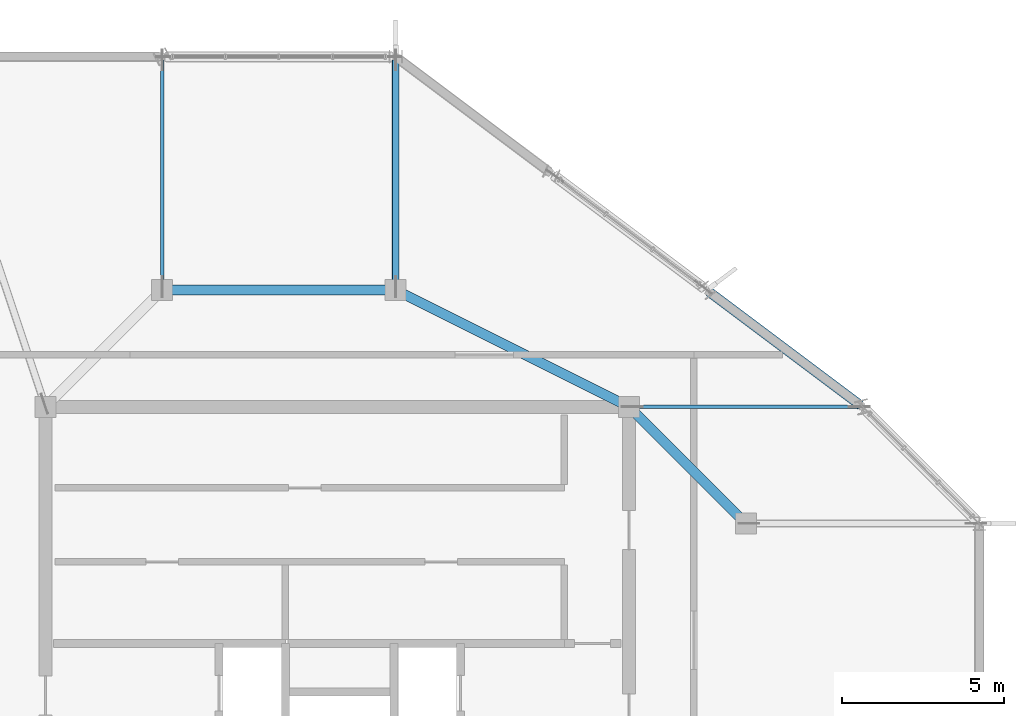
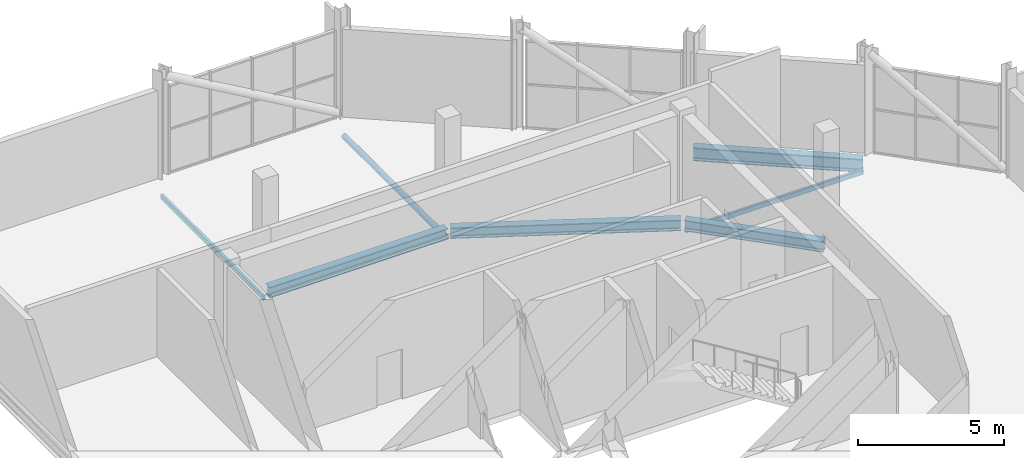
# One storey, part 9 of 22: 4 beams, 3 members.
"""IFC4 building model written with IfcOpenShell, lengths in metres."""

from ifc_helpers import new_model, si_unit, direction, frame, origin, origin_2d, place, context, subcontext, project, spatial, hollow_rectangle, hollow_circle, i_section, extrude, material, material_profile, profile_set, type_object, element, save


model = new_model("IFC4")

# Units and contexts
model_context = context("Model", 3, precision=1e-05, world=origin(), true_north=direction((0.0, 1.0)))
body_context = subcontext(model_context, "Body", "Model", "MODEL_VIEW")
ifc_project = project(units=[si_unit("LENGTHUNIT", "METRE"), si_unit("AREAUNIT", "SQUARE_METRE"), si_unit("VOLUMEUNIT", "CUBIC_METRE"), si_unit("PLANEANGLEUNIT", "RADIAN"), si_unit("MASSUNIT", "GRAM", prefix="KILO")], contexts=[model_context])

# Site, building, storey
site_placement = place(None, origin())
site = spatial("IfcSite", under=ifc_project, at=site_placement, CompositionType="ELEMENT")
building_placement = place(site_placement, origin())
building = spatial("IfcBuilding", under=site, at=building_placement, Name="Solnavia Interchange Tower", CompositionType="ELEMENT")
storey_placement = place(building_placement, frame((0.0, 0.0, 308.699951171875)))
storey = spatial("IfcBuildingStorey", under=building, at=storey_placement, Name="C02", CompositionType="ELEMENT", Elevation=308.699951171875)

# Beams
ifc_material_1 = material(Name="Steel S460", Category="steel")
ifc_material_profile_1 = material_profile(ifc_material_1, i_section(OverallWidth=0.300048828125, OverallDepth=0.449951171875, WebThickness=0.013916015625, FlangeThickness=0.02587890625, FilletRadius=0.027099609375, at=origin_2d()), Name="HEB 450")
ifc_profile_set_1 = profile_set([ifc_material_profile_1], Name="Steel S460")
beam_type_1 = type_object("IfcBeamType", Name="Beam-Girder-HEB450", PredefinedType="BEAM", material=ifc_profile_set_1)
beam_1_placement = place(storey_placement, frame((35.943359375, 21.656494140625, -0.474853515625), z_axis=(-0.707106781187, 0.707106781187, 0.0), x_axis=(-0.707106781187, -0.707106781187, 0.0)))
element("IfcBeam", 1, at=beam_1_placement, inside=storey, type_object=beam_type_1, Name="GRD-C02-CI01 Crown inner ring girder", PredefinedType="BEAM", context=body_context, shape_type="SweptSolid", body=[
    extrude(i_section(OverallWidth=0.300048828125, OverallDepth=0.449951171875, WebThickness=0.013916015625, FlangeThickness=0.02587890625, FilletRadius=0.027099609375, at=origin_2d()), origin(), (0.0, 0.0, 1.0), 4.93115234375),
])
beam_2_placement = place(storey_placement, frame((32.328369140625, 25.23583984375, -0.474853515625), z_axis=(-0.894433379694, 0.447201217898, 0.0), x_axis=(-0.447201217898, -0.894433379694, 0.0)))
element("IfcBeam", 2, at=beam_2_placement, inside=storey, type_object=beam_type_1, Name="GRD-C02-CI02 Crown inner ring girder", PredefinedType="BEAM", context=body_context, shape_type="SweptSolid", body=[
    extrude(i_section(OverallWidth=0.300048828125, OverallDepth=0.449951171875, WebThickness=0.013916015625, FlangeThickness=0.02587890625, FilletRadius=0.027099609375, at=origin_2d()), origin(), (0.0, 0.0, 1.0), 7.889892578125),
])
beam_3_placement = place(storey_placement, frame((25.1201171875, 28.800048828125, -0.474853515625), z_axis=(-1.0, 0.0, 0.0), x_axis=(0.0, -1.0, 0.0)))
element("IfcBeam", 3, at=beam_3_placement, inside=storey, type_object=beam_type_1, Name="GRD-C02-CI03 Crown inner ring girder", PredefinedType="BEAM", context=body_context, shape_type="SweptSolid", body=[
    extrude(i_section(OverallWidth=0.300048828125, OverallDepth=0.449951171875, WebThickness=0.013916015625, FlangeThickness=0.02587890625, FilletRadius=0.027099609375, at=origin_2d()), origin(), (0.0, 0.0, 1.0), 7.0400390625),
])

# Members
ifc_material_2 = material(Name="Steel S355", Category="steel")
ifc_material_profile_2 = material_profile(ifc_material_2, hollow_circle(Radius=0.109619140625, WallThickness=0.010009765625, at=origin_2d()), Name="CHS 219.1x10")
ifc_profile_set_2 = profile_set([ifc_material_profile_2], Name="Steel S355")
member_type_1 = type_object("IfcMemberType", Name="CrownFrame-Collar-CHS219", PredefinedType="COLLAR", material=ifc_profile_set_2)
member_placement = place(storey_placement, frame((25.199951171875, 28.89990234375, -0.800048828125), z_axis=(0.0, 1.0, 0.0), x_axis=(-1.0, 0.0, 0.0)))
element("IfcMember", 4, at=member_placement, inside=storey, type_object=member_type_1, Name="OTR-C02-CL03 CROWN FRAME radial collar member", PredefinedType="COLLAR", context=body_context, shape_type="SweptSolid", body=[
    extrude(hollow_circle(Radius=0.109619140625, WallThickness=0.010009765625, at=origin_2d()), origin(), (0.0, 0.0, 1.0), 7.0),
])
ifc_material_profile_3 = material_profile(ifc_material_2, hollow_rectangle(XDim=0.10009765625, YDim=0.199951171875, WallThickness=0.008056640625, at=origin_2d()), Name="RHS 200x100x8")
ifc_profile_set_3 = profile_set([ifc_material_profile_3], Name="Steel S355")
member_type_2 = type_object("IfcMemberType", Name="CrownFrame-Collar-RHS200", PredefinedType="COLLAR", material=ifc_profile_set_3)
for number, where, z_axis, x_axis, name in (
    (5, (32.5, 25.199951171875, -0.800048828125), (1.0, 0.0, 0.0), (0.0, 1.0, 0.0), "OTR-C02-CL02 CROWN FRAME radial collar member"),
    (6, (18.0, 28.89990234375, -0.800048828125), (0.0, 1.0, 0.0), (-1.0, 0.0, 0.0), "OTR-C02-CL04 CROWN FRAME radial collar member"),
):
    element("IfcMember", number, at=place(storey_placement, frame(where, z_axis=z_axis, x_axis=x_axis)), inside=storey, type_object=member_type_2, Name=name, PredefinedType="COLLAR", context=body_context, shape_type="SweptSolid", body=[
        extrude(hollow_rectangle(XDim=0.10009765625, YDim=0.199951171875, WallThickness=0.008056640625, at=origin_2d()), origin(), (0.0, 0.0, 1.0), 7.0),
    ])

# Beam
ifc_material_profile_4 = material_profile(ifc_material_1, i_section(OverallWidth=0.300048828125, OverallDepth=0.550048828125, WebThickness=0.014892578125, FlangeThickness=0.029052734375, FilletRadius=0.027099609375, at=origin_2d()), Name="HEB 550")
ifc_profile_set_4 = profile_set([ifc_material_profile_4], Name="Steel S460")
beam_type_2 = type_object("IfcBeamType", Name="CrownFrame-Ring-HEB550", PredefinedType="BEAM", material=ifc_profile_set_4)
beam_4_placement = place(storey_placement, frame((39.535888671875, 25.248046875, -0.52490234375), z_axis=(-0.8, 0.6, 0.0), x_axis=(-0.6, -0.8, 0.0)))
element("IfcBeam", 7, at=beam_4_placement, inside=storey, type_object=beam_type_2, Name="GRD-C02-CR02 CROWN FRAME outer collar ring beam", PredefinedType="BEAM", context=body_context, shape_type="SweptSolid", body=[
    extrude(i_section(OverallWidth=0.300048828125, OverallDepth=0.550048828125, WebThickness=0.014892578125, FlangeThickness=0.029052734375, FilletRadius=0.027099609375, at=origin_2d()), origin(), (0.0, 0.0, 1.0), 5.83984375),
])

save(model, "model.ifc")
